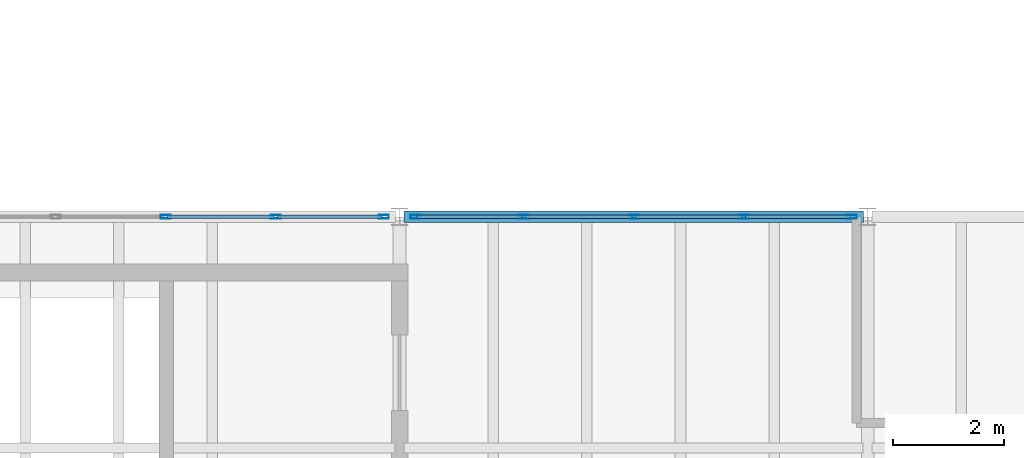
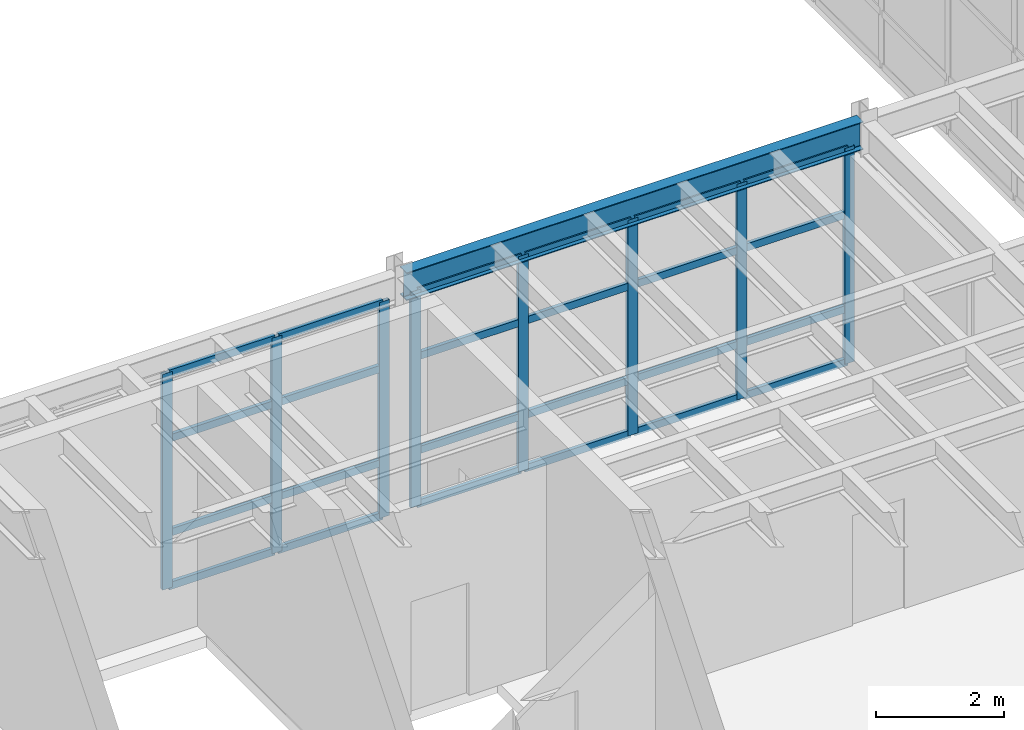
# One storey, part 43 of 105: 32 members, 1 beam, 2 elements without a shape of their own.
"""IFC4 building model written with IfcOpenShell, lengths in metres."""

from ifc_helpers import new_model, si_unit, direction, frame, origin, origin_2d, place, context, subcontext, project, spatial, hollow_rectangle, i_section, extrude, material, layer, layer_set, material_profile, profile_set, type_object, element, aggregate, save


model = new_model("IFC4")

# Units and contexts
model_context = context("Model", 3, precision=1e-05, world=origin(), true_north=direction((0.0, 1.0)))
body_context = subcontext(model_context, "Body", "Model", "MODEL_VIEW")
ifc_project = project(units=[si_unit("LENGTHUNIT", "METRE"), si_unit("AREAUNIT", "SQUARE_METRE"), si_unit("VOLUMEUNIT", "CUBIC_METRE"), si_unit("PLANEANGLEUNIT", "RADIAN"), si_unit("MASSUNIT", "GRAM", prefix="KILO")], contexts=[model_context])

# Site, building, storey
site_placement = place(None, origin())
site = spatial("IfcSite", under=ifc_project, at=site_placement, CompositionType="ELEMENT")
building_placement = place(site_placement, origin())
building = spatial("IfcBuilding", under=site, at=building_placement, Name="Selat Folded Stagehouse", CompositionType="ELEMENT")
storey_placement = place(building_placement, frame((0.0, 0.0, 10.199951171875)))
storey = spatial("IfcBuildingStorey", under=building, at=storey_placement, Name="L02", CompositionType="ELEMENT", Elevation=10.199951171875)

# Beam
ifc_material_1 = material(Name="Steel S355", Category="steel")
ifc_material_profile_1 = material_profile(ifc_material_1, i_section(OverallWidth=0.209228515625, OverallDepth=0.533203125, WebThickness=0.010009765625, FlangeThickness=0.015625, FilletRadius=0.0126953125, at=origin_2d()), Name="UKB 533x210x92")
ifc_profile_set_1 = profile_set([ifc_material_profile_1], Name="Steel S355")
beam_type = type_object("IfcBeamType", Name="BM-GIRD-533x210x92", PredefinedType="BEAM", material=ifc_profile_set_1)
beam_placement = place(storey_placement, frame((84.076904296875, 17.800048828125, 4.308349609375), z_axis=(1.0, 0.0, 0.0), x_axis=(0.0, 1.0, 0.0)))
element("IfcBeam", 1, at=beam_placement, inside=storey, type_object=beam_type, Name="L02 primary x-girder 1005", PredefinedType="BEAM", context=body_context, shape_type="SweptSolid", body=[
    extrude(i_section(OverallWidth=0.209228515625, OverallDepth=0.533203125, WebThickness=0.010009765625, FlangeThickness=0.015625, FilletRadius=0.0126953125, at=origin_2d()), origin(), (0.0, 0.0, 1.0), 8.24609375),
])

# Curtain wall, members
ifc_material_2 = material(Name="Aluminium 6063-T6", Category="aluminium")
ifc_layer = layer(ifc_material_2, 0.195068359375)
ifc_layer_set = layer_set([ifc_layer], Name="Aluminium 6063-T6")
curtain_wall_type = type_object("IfcCurtainWallType", Name="CW-FYR-COURT", PredefinedType="NOTDEFINED", material=ifc_layer_set)
curtain_wall_1_placement = place(storey_placement, origin())
curtain_wall_1 = element("IfcCurtainWall", 2, at=curtain_wall_1_placement, inside=storey, type_object=curtain_wall_type, Name="L02 curtain wall CW-FYR-L02-10", PredefinedType="NOTDEFINED")
ifc_material_profile_2 = material_profile(ifc_material_2, hollow_rectangle(XDim=0.06494140625, YDim=0.179931640625, WallThickness=0.00390625, at=origin_2d()), Name="ALU 180x65x4.0")
ifc_profile_set_2 = profile_set([ifc_material_profile_2], Name="Aluminium 6063-T6")
member_type_1 = type_object("IfcMemberType", Name="CWM-MUL-180x65", PredefinedType="MULLION", material=ifc_profile_set_2)
member_1_placement = place(storey_placement, frame((79.800048828125, 17.800048828125, 0.0), z_axis=(0.0, 0.0, 1.0), x_axis=(0.0, 1.0, 0.0)))
member_1 = element("IfcMember", 3, at=member_1_placement, type_object=member_type_1, Name="CW-05 mullion 3", PredefinedType="MULLION", context=body_context, shape_type="SweptSolid", body=[
    extrude(hollow_rectangle(XDim=0.06494140625, YDim=0.179931640625, WallThickness=0.00390625, at=origin_2d()), origin(), (0.0, 0.0, 1.0), 4.1201171875),
])
member_2_placement = place(storey_placement, frame((81.77490234375, 17.800048828125, 0.0), z_axis=(0.0, 0.0, 1.0), x_axis=(0.0, 1.0, 0.0)))
member_2 = element("IfcMember", 4, at=member_2_placement, type_object=member_type_1, Name="CW-05 mullion 4", PredefinedType="MULLION", context=body_context, shape_type="SweptSolid", body=[
    extrude(hollow_rectangle(XDim=0.06494140625, YDim=0.179931640625, WallThickness=0.00390625, at=origin_2d()), origin(), (0.0, 0.0, 1.0), 4.1201171875),
])
member_3_placement = place(storey_placement, frame((83.717529296875, 17.800048828125, 0.0), z_axis=(0.0, 0.0, 1.0), x_axis=(0.0, 1.0, 0.0)))
member_3 = element("IfcMember", 5, at=member_3_placement, type_object=member_type_1, Name="CW-05 mullion 5", PredefinedType="MULLION", context=body_context, shape_type="SweptSolid", body=[
    extrude(hollow_rectangle(XDim=0.06494140625, YDim=0.179931640625, WallThickness=0.00390625, at=origin_2d()), origin(), (0.0, 0.0, 1.0), 4.1201171875),
])

curtain_wall_2_placement = place(storey_placement, origin())
curtain_wall_2 = element("IfcCurtainWall", 6, at=curtain_wall_2_placement, inside=storey, type_object=curtain_wall_type, Name="L02 curtain wall CW-FYR-L02-11", PredefinedType="NOTDEFINED")
member_4_placement = place(storey_placement, frame((84.282470703125, 17.800048828125, 0.0), z_axis=(0.0, 0.0, 1.0), x_axis=(0.0, 1.0, 0.0)))
member_4 = element("IfcMember", 7, at=member_4_placement, type_object=member_type_1, Name="CW-05 mullion 1", PredefinedType="MULLION", context=body_context, shape_type="SweptSolid", body=[
    extrude(hollow_rectangle(XDim=0.06494140625, YDim=0.179931640625, WallThickness=0.00390625, at=origin_2d()), origin(), (0.0, 0.0, 1.0), 4.1201171875),
])
member_5_placement = place(storey_placement, frame((86.22509765625, 17.800048828125, 0.0), z_axis=(0.0, 0.0, 1.0), x_axis=(0.0, 1.0, 0.0)))
member_5 = element("IfcMember", 8, at=member_5_placement, type_object=member_type_1, Name="CW-05 mullion 2", PredefinedType="MULLION", context=body_context, shape_type="SweptSolid", body=[
    extrude(hollow_rectangle(XDim=0.06494140625, YDim=0.179931640625, WallThickness=0.00390625, at=origin_2d()), origin(), (0.0, 0.0, 1.0), 4.1201171875),
])
member_6_placement = place(storey_placement, frame((88.199951171875, 17.800048828125, 0.0), z_axis=(0.0, 0.0, 1.0), x_axis=(0.0, 1.0, 0.0)))
member_6 = element("IfcMember", 9, at=member_6_placement, type_object=member_type_1, Name="CW-05 mullion 3", PredefinedType="MULLION", context=body_context, shape_type="SweptSolid", body=[
    extrude(hollow_rectangle(XDim=0.06494140625, YDim=0.179931640625, WallThickness=0.00390625, at=origin_2d()), origin(), (0.0, 0.0, 1.0), 4.1201171875),
])
member_7_placement = place(storey_placement, frame((90.175048828125, 17.800048828125, 0.0), z_axis=(0.0, 0.0, 1.0), x_axis=(0.0, 1.0, 0.0)))
member_7 = element("IfcMember", 10, at=member_7_placement, type_object=member_type_1, Name="CW-05 mullion 4", PredefinedType="MULLION", context=body_context, shape_type="SweptSolid", body=[
    extrude(hollow_rectangle(XDim=0.06494140625, YDim=0.179931640625, WallThickness=0.00390625, at=origin_2d()), origin(), (0.0, 0.0, 1.0), 4.1201171875),
])
member_8_placement = place(storey_placement, frame((92.117431640625, 17.800048828125, 0.0), z_axis=(0.0, 0.0, 1.0), x_axis=(0.0, 1.0, 0.0)))
member_8 = element("IfcMember", 11, at=member_8_placement, type_object=member_type_1, Name="CW-05 mullion 5", PredefinedType="MULLION", context=body_context, shape_type="SweptSolid", body=[
    extrude(hollow_rectangle(XDim=0.06494140625, YDim=0.179931640625, WallThickness=0.00390625, at=origin_2d()), origin(), (0.0, 0.0, 1.0), 4.1201171875),
])

# Member
ifc_material_profile_3 = material_profile(ifc_material_2, hollow_rectangle(XDim=0.06494140625, YDim=0.139892578125, WallThickness=0.00390625, at=origin_2d()), Name="ALU 140x65x4.0")
ifc_profile_set_3 = profile_set([ifc_material_profile_3], Name="Aluminium 6063-T6")
member_type_2 = type_object("IfcMemberType", Name="CWM-TRN-140x65", PredefinedType="USERDEFINED", material=ifc_profile_set_3)
member_9_placement = place(storey_placement, frame((79.83251953125, 17.800048828125, 0.032470703125), z_axis=(1.0, 0.0, 0.0), x_axis=(0.0, 1.0, 0.0)))
member_9 = element("IfcMember", 12, at=member_9_placement, type_object=member_type_2, Name="CW-05 transom 3.1", ObjectType="TRANSOM", PredefinedType="USERDEFINED", context=body_context, shape_type="SweptSolid", body=[
    extrude(hollow_rectangle(XDim=0.06494140625, YDim=0.139892578125, WallThickness=0.00390625, at=origin_2d()), origin(), (0.0, 0.0, 1.0), 1.909912109375),
])

member_10_placement = place(storey_placement, frame((79.83251953125, 17.800048828125, 1.050048828125), z_axis=(1.0, 0.0, 0.0), x_axis=(0.0, 1.0, 0.0)))
member_10 = element("IfcMember", 13, at=member_10_placement, type_object=member_type_2, Name="CW-05 transom 3.2", ObjectType="TRANSOM", PredefinedType="USERDEFINED", context=body_context, shape_type="SweptSolid", body=[
    extrude(hollow_rectangle(XDim=0.06494140625, YDim=0.139892578125, WallThickness=0.00390625, at=origin_2d()), origin(), (0.0, 0.0, 1.0), 1.909912109375),
])

member_11_placement = place(storey_placement, frame((79.83251953125, 17.800048828125, 2.85009765625), z_axis=(1.0, 0.0, 0.0), x_axis=(0.0, 1.0, 0.0)))
member_11 = element("IfcMember", 14, at=member_11_placement, type_object=member_type_2, Name="CW-05 transom 3.3", ObjectType="TRANSOM", PredefinedType="USERDEFINED", context=body_context, shape_type="SweptSolid", body=[
    extrude(hollow_rectangle(XDim=0.06494140625, YDim=0.139892578125, WallThickness=0.00390625, at=origin_2d()), origin(), (0.0, 0.0, 1.0), 1.909912109375),
])

member_12_placement = place(storey_placement, frame((79.83251953125, 17.800048828125, 4.087646484375), z_axis=(1.0, 0.0, 0.0), x_axis=(0.0, 1.0, 0.0)))
member_12 = element("IfcMember", 15, at=member_12_placement, type_object=member_type_2, Name="CW-05 transom 3.4", ObjectType="TRANSOM", PredefinedType="USERDEFINED", context=body_context, shape_type="SweptSolid", body=[
    extrude(hollow_rectangle(XDim=0.06494140625, YDim=0.139892578125, WallThickness=0.00390625, at=origin_2d()), origin(), (0.0, 0.0, 1.0), 1.909912109375),
])

member_13_placement = place(storey_placement, frame((81.8076171875, 17.800048828125, 0.032470703125), z_axis=(1.0, 0.0, 0.0), x_axis=(0.0, 1.0, 0.0)))
member_13 = element("IfcMember", 16, at=member_13_placement, type_object=member_type_2, Name="CW-05 transom 4.1", ObjectType="TRANSOM", PredefinedType="USERDEFINED", context=body_context, shape_type="SweptSolid", body=[
    extrude(hollow_rectangle(XDim=0.06494140625, YDim=0.139892578125, WallThickness=0.00390625, at=origin_2d()), origin(), (0.0, 0.0, 1.0), 1.87744140625),
])

member_14_placement = place(storey_placement, frame((81.8076171875, 17.800048828125, 1.050048828125), z_axis=(1.0, 0.0, 0.0), x_axis=(0.0, 1.0, 0.0)))
member_14 = element("IfcMember", 17, at=member_14_placement, type_object=member_type_2, Name="CW-05 transom 4.2", ObjectType="TRANSOM", PredefinedType="USERDEFINED", context=body_context, shape_type="SweptSolid", body=[
    extrude(hollow_rectangle(XDim=0.06494140625, YDim=0.139892578125, WallThickness=0.00390625, at=origin_2d()), origin(), (0.0, 0.0, 1.0), 1.87744140625),
])

member_15_placement = place(storey_placement, frame((81.8076171875, 17.800048828125, 2.85009765625), z_axis=(1.0, 0.0, 0.0), x_axis=(0.0, 1.0, 0.0)))
member_15 = element("IfcMember", 18, at=member_15_placement, type_object=member_type_2, Name="CW-05 transom 4.3", ObjectType="TRANSOM", PredefinedType="USERDEFINED", context=body_context, shape_type="SweptSolid", body=[
    extrude(hollow_rectangle(XDim=0.06494140625, YDim=0.139892578125, WallThickness=0.00390625, at=origin_2d()), origin(), (0.0, 0.0, 1.0), 1.87744140625),
])

member_16_placement = place(storey_placement, frame((81.8076171875, 17.800048828125, 4.087646484375), z_axis=(1.0, 0.0, 0.0), x_axis=(0.0, 1.0, 0.0)))
member_16 = element("IfcMember", 19, at=member_16_placement, type_object=member_type_2, Name="CW-05 transom 4.4", ObjectType="TRANSOM", PredefinedType="USERDEFINED", context=body_context, shape_type="SweptSolid", body=[
    extrude(hollow_rectangle(XDim=0.06494140625, YDim=0.139892578125, WallThickness=0.00390625, at=origin_2d()), origin(), (0.0, 0.0, 1.0), 1.87744140625),
])

aggregate(curtain_wall_1, [member_1, member_2, member_3, member_9, member_10, member_11, member_12, member_13, member_14, member_15, member_16])

member_17_placement = place(storey_placement, frame((84.31494140625, 17.800048828125, 0.032470703125), z_axis=(1.0, 0.0, 0.0), x_axis=(0.0, 1.0, 0.0)))
member_17 = element("IfcMember", 20, at=member_17_placement, type_object=member_type_2, Name="CW-05 transom 1.1", ObjectType="TRANSOM", PredefinedType="USERDEFINED", context=body_context, shape_type="SweptSolid", body=[
    extrude(hollow_rectangle(XDim=0.06494140625, YDim=0.139892578125, WallThickness=0.00390625, at=origin_2d()), origin(), (0.0, 0.0, 1.0), 1.87744140625),
])

member_18_placement = place(storey_placement, frame((84.31494140625, 17.800048828125, 1.050048828125), z_axis=(1.0, 0.0, 0.0), x_axis=(0.0, 1.0, 0.0)))
member_18 = element("IfcMember", 21, at=member_18_placement, type_object=member_type_2, Name="CW-05 transom 1.2", ObjectType="TRANSOM", PredefinedType="USERDEFINED", context=body_context, shape_type="SweptSolid", body=[
    extrude(hollow_rectangle(XDim=0.06494140625, YDim=0.139892578125, WallThickness=0.00390625, at=origin_2d()), origin(), (0.0, 0.0, 1.0), 1.87744140625),
])

member_19_placement = place(storey_placement, frame((84.31494140625, 17.800048828125, 2.85009765625), z_axis=(1.0, 0.0, 0.0), x_axis=(0.0, 1.0, 0.0)))
member_19 = element("IfcMember", 22, at=member_19_placement, type_object=member_type_2, Name="CW-05 transom 1.3", ObjectType="TRANSOM", PredefinedType="USERDEFINED", context=body_context, shape_type="SweptSolid", body=[
    extrude(hollow_rectangle(XDim=0.06494140625, YDim=0.139892578125, WallThickness=0.00390625, at=origin_2d()), origin(), (0.0, 0.0, 1.0), 1.87744140625),
])

member_20_placement = place(storey_placement, frame((84.31494140625, 17.800048828125, 4.087646484375), z_axis=(1.0, 0.0, 0.0), x_axis=(0.0, 1.0, 0.0)))
member_20 = element("IfcMember", 23, at=member_20_placement, type_object=member_type_2, Name="CW-05 transom 1.4", ObjectType="TRANSOM", PredefinedType="USERDEFINED", context=body_context, shape_type="SweptSolid", body=[
    extrude(hollow_rectangle(XDim=0.06494140625, YDim=0.139892578125, WallThickness=0.00390625, at=origin_2d()), origin(), (0.0, 0.0, 1.0), 1.87744140625),
])

member_21_placement = place(storey_placement, frame((86.257568359375, 17.800048828125, 0.032470703125), z_axis=(1.0, 0.0, 0.0), x_axis=(0.0, 1.0, 0.0)))
member_21 = element("IfcMember", 24, at=member_21_placement, type_object=member_type_2, Name="CW-05 transom 2.1", ObjectType="TRANSOM", PredefinedType="USERDEFINED", context=body_context, shape_type="SweptSolid", body=[
    extrude(hollow_rectangle(XDim=0.06494140625, YDim=0.139892578125, WallThickness=0.00390625, at=origin_2d()), origin(), (0.0, 0.0, 1.0), 1.909912109375),
])

member_22_placement = place(storey_placement, frame((86.257568359375, 17.800048828125, 1.050048828125), z_axis=(1.0, 0.0, 0.0), x_axis=(0.0, 1.0, 0.0)))
member_22 = element("IfcMember", 25, at=member_22_placement, type_object=member_type_2, Name="CW-05 transom 2.2", ObjectType="TRANSOM", PredefinedType="USERDEFINED", context=body_context, shape_type="SweptSolid", body=[
    extrude(hollow_rectangle(XDim=0.06494140625, YDim=0.139892578125, WallThickness=0.00390625, at=origin_2d()), origin(), (0.0, 0.0, 1.0), 1.909912109375),
])

member_23_placement = place(storey_placement, frame((86.257568359375, 17.800048828125, 2.85009765625), z_axis=(1.0, 0.0, 0.0), x_axis=(0.0, 1.0, 0.0)))
member_23 = element("IfcMember", 26, at=member_23_placement, type_object=member_type_2, Name="CW-05 transom 2.3", ObjectType="TRANSOM", PredefinedType="USERDEFINED", context=body_context, shape_type="SweptSolid", body=[
    extrude(hollow_rectangle(XDim=0.06494140625, YDim=0.139892578125, WallThickness=0.00390625, at=origin_2d()), origin(), (0.0, 0.0, 1.0), 1.909912109375),
])

member_24_placement = place(storey_placement, frame((86.257568359375, 17.800048828125, 4.087646484375), z_axis=(1.0, 0.0, 0.0), x_axis=(0.0, 1.0, 0.0)))
member_24 = element("IfcMember", 27, at=member_24_placement, type_object=member_type_2, Name="CW-05 transom 2.4", ObjectType="TRANSOM", PredefinedType="USERDEFINED", context=body_context, shape_type="SweptSolid", body=[
    extrude(hollow_rectangle(XDim=0.06494140625, YDim=0.139892578125, WallThickness=0.00390625, at=origin_2d()), origin(), (0.0, 0.0, 1.0), 1.909912109375),
])

member_25_placement = place(storey_placement, frame((88.232421875, 17.800048828125, 0.032470703125), z_axis=(1.0, 0.0, 0.0), x_axis=(0.0, 1.0, 0.0)))
member_25 = element("IfcMember", 28, at=member_25_placement, type_object=member_type_2, Name="CW-05 transom 3.1", ObjectType="TRANSOM", PredefinedType="USERDEFINED", context=body_context, shape_type="SweptSolid", body=[
    extrude(hollow_rectangle(XDim=0.06494140625, YDim=0.139892578125, WallThickness=0.00390625, at=origin_2d()), origin(), (0.0, 0.0, 1.0), 1.91015625),
])

member_26_placement = place(storey_placement, frame((88.232421875, 17.800048828125, 1.050048828125), z_axis=(1.0, 0.0, 0.0), x_axis=(0.0, 1.0, 0.0)))
member_26 = element("IfcMember", 29, at=member_26_placement, type_object=member_type_2, Name="CW-05 transom 3.2", ObjectType="TRANSOM", PredefinedType="USERDEFINED", context=body_context, shape_type="SweptSolid", body=[
    extrude(hollow_rectangle(XDim=0.06494140625, YDim=0.139892578125, WallThickness=0.00390625, at=origin_2d()), origin(), (0.0, 0.0, 1.0), 1.91015625),
])

member_27_placement = place(storey_placement, frame((88.232421875, 17.800048828125, 2.85009765625), z_axis=(1.0, 0.0, 0.0), x_axis=(0.0, 1.0, 0.0)))
member_27 = element("IfcMember", 30, at=member_27_placement, type_object=member_type_2, Name="CW-05 transom 3.3", ObjectType="TRANSOM", PredefinedType="USERDEFINED", context=body_context, shape_type="SweptSolid", body=[
    extrude(hollow_rectangle(XDim=0.06494140625, YDim=0.139892578125, WallThickness=0.00390625, at=origin_2d()), origin(), (0.0, 0.0, 1.0), 1.91015625),
])

member_28_placement = place(storey_placement, frame((88.232421875, 17.800048828125, 4.087646484375), z_axis=(1.0, 0.0, 0.0), x_axis=(0.0, 1.0, 0.0)))
member_28 = element("IfcMember", 31, at=member_28_placement, type_object=member_type_2, Name="CW-05 transom 3.4", ObjectType="TRANSOM", PredefinedType="USERDEFINED", context=body_context, shape_type="SweptSolid", body=[
    extrude(hollow_rectangle(XDim=0.06494140625, YDim=0.139892578125, WallThickness=0.00390625, at=origin_2d()), origin(), (0.0, 0.0, 1.0), 1.91015625),
])

member_29_placement = place(storey_placement, frame((90.20751953125, 17.800048828125, 0.032470703125), z_axis=(1.0, 0.0, 0.0), x_axis=(0.0, 1.0, 0.0)))
member_29 = element("IfcMember", 32, at=member_29_placement, type_object=member_type_2, Name="CW-05 transom 4.1", ObjectType="TRANSOM", PredefinedType="USERDEFINED", context=body_context, shape_type="SweptSolid", body=[
    extrude(hollow_rectangle(XDim=0.06494140625, YDim=0.139892578125, WallThickness=0.00390625, at=origin_2d()), origin(), (0.0, 0.0, 1.0), 1.87744140625),
])

member_30_placement = place(storey_placement, frame((90.20751953125, 17.800048828125, 1.050048828125), z_axis=(1.0, 0.0, 0.0), x_axis=(0.0, 1.0, 0.0)))
member_30 = element("IfcMember", 33, at=member_30_placement, type_object=member_type_2, Name="CW-05 transom 4.2", ObjectType="TRANSOM", PredefinedType="USERDEFINED", context=body_context, shape_type="SweptSolid", body=[
    extrude(hollow_rectangle(XDim=0.06494140625, YDim=0.139892578125, WallThickness=0.00390625, at=origin_2d()), origin(), (0.0, 0.0, 1.0), 1.87744140625),
])

member_31_placement = place(storey_placement, frame((90.20751953125, 17.800048828125, 2.85009765625), z_axis=(1.0, 0.0, 0.0), x_axis=(0.0, 1.0, 0.0)))
member_31 = element("IfcMember", 34, at=member_31_placement, type_object=member_type_2, Name="CW-05 transom 4.3", ObjectType="TRANSOM", PredefinedType="USERDEFINED", context=body_context, shape_type="SweptSolid", body=[
    extrude(hollow_rectangle(XDim=0.06494140625, YDim=0.139892578125, WallThickness=0.00390625, at=origin_2d()), origin(), (0.0, 0.0, 1.0), 1.87744140625),
])

member_32_placement = place(storey_placement, frame((90.20751953125, 17.800048828125, 4.087646484375), z_axis=(1.0, 0.0, 0.0), x_axis=(0.0, 1.0, 0.0)))
member_32 = element("IfcMember", 35, at=member_32_placement, type_object=member_type_2, Name="CW-05 transom 4.4", ObjectType="TRANSOM", PredefinedType="USERDEFINED", context=body_context, shape_type="SweptSolid", body=[
    extrude(hollow_rectangle(XDim=0.06494140625, YDim=0.139892578125, WallThickness=0.00390625, at=origin_2d()), origin(), (0.0, 0.0, 1.0), 1.87744140625),
])

aggregate(curtain_wall_2, [member_4, member_5, member_6, member_7, member_8, member_17, member_18, member_19, member_20, member_21, member_22, member_23, member_24, member_25, member_26, member_27, member_28, member_29, member_30, member_31, member_32])

save(model, "model.ifc")
